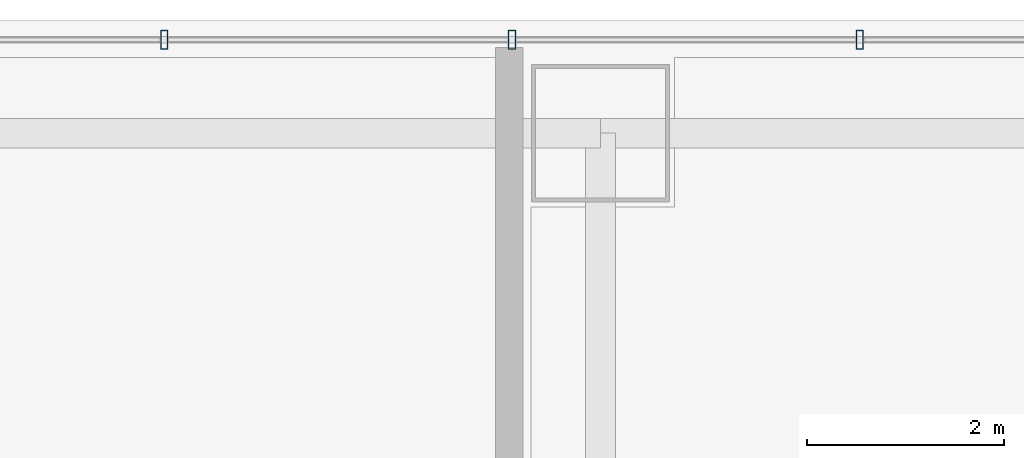
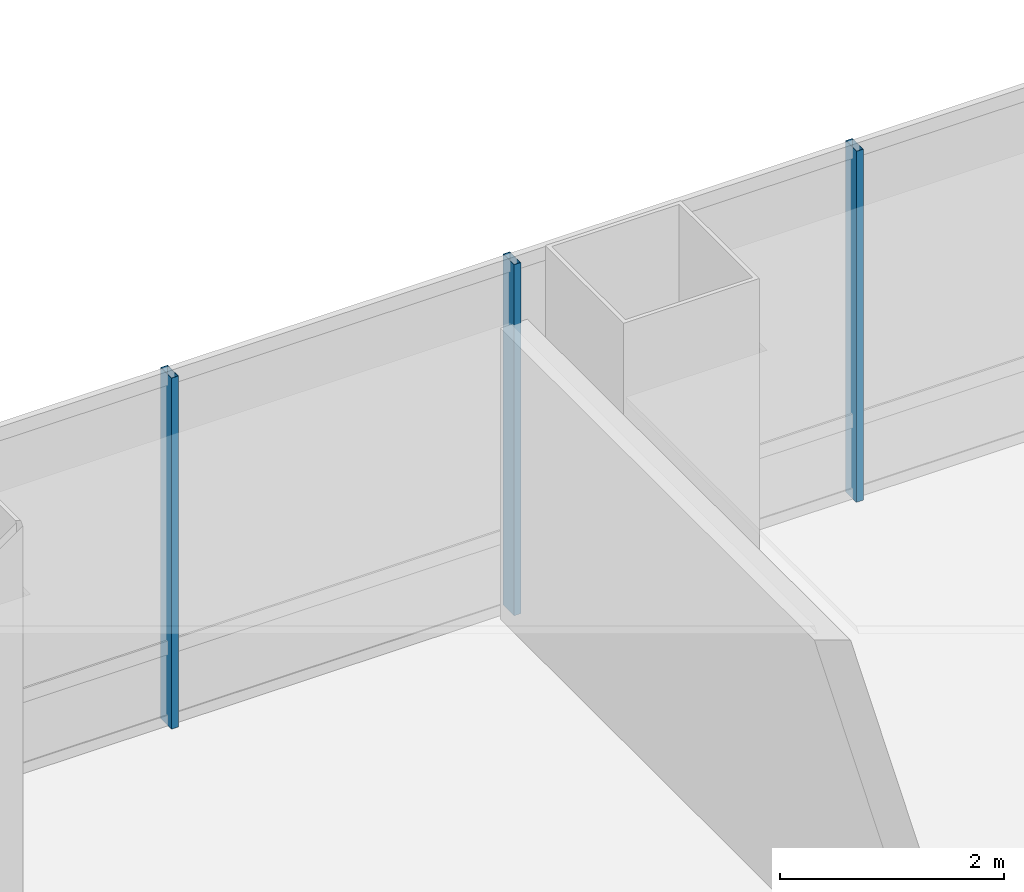
# One storey, part 24 of 36: 3 members, 1 element without a shape of its own.
"""IFC4 building model written with IfcOpenShell, lengths in metres."""

import ifcopenshell
import ifcopenshell.guid

model = None  # the IFC model being written
_history = None  # IfcOwnerHistory: only IFC2X3 demands one
_inside = {}  # id of a spatial element -> (the spatial element, [elements in it])
_under = {}  # id of a project, library or spatial element -> (it, [spatial elements below it])
_declared = {}  # id of a project -> (the project, [libraries it declares])
_typed = {}  # id of a type object -> (the type object, [elements of that type])
_made_of = {}  # id of a material, layer set ... -> (it, [elements and type objects made of it])


def new_model(schema):
    """Start an empty IFC model of exactly this schema.

    Asked for "IFC4X3", IfcOpenShell would pick the latest addendum, in which some entities
    have other attributes; the version numbers below select the first issue.
    IFC2X3 requires an IfcOwnerHistory on every rooted entity: one is made here for all.
    """
    global model, _history
    if schema == "IFC4X3":
        model = ifcopenshell.file(schema_version=(4, 3, 0, 0))
    else:
        model = ifcopenshell.file(schema=schema)
    _inside.clear()
    _under.clear()
    _declared.clear()
    _typed.clear()
    _made_of.clear()
    _history = None
    if model.schema == "IFC2X3":
        org = make("IfcOrganization", Name="unknown")
        user = make(
            "IfcPersonAndOrganization",
            ThePerson=make("IfcPerson", FamilyName="unknown"),
            TheOrganization=org,
        )
        app = make(
            "IfcApplication",
            ApplicationDeveloper=org,
            Version="unknown",
            ApplicationFullName="unknown",
            ApplicationIdentifier="unknown",
        )
        _history = make(
            "IfcOwnerHistory",
            OwningUser=user,
            OwningApplication=app,
            ChangeAction="ADDED",
            CreationDate=0,
        )
    return model


def make(cls, **values):
    """One entity of the class cls with the attributes given. An attribute that is None is left unset."""
    return model.create_entity(
        cls, **{name: value for name, value in values.items() if value is not None}
    )


def rooted(cls, **values):
    """An entity with a GlobalId (a new one), such as an element, a storey or a relation."""
    return make(cls, GlobalId=ifcopenshell.guid.new(), OwnerHistory=_history, **values)


def si_unit(unit_type, name, prefix=None):
    """IfcSIUnit, for example si_unit("LENGTHUNIT", "METRE", prefix="MILLI")."""
    return make("IfcSIUnit", UnitType=unit_type, Prefix=prefix, Name=name)


def assignment(units):
    """IfcUnitAssignment: the units of a project."""
    return None if units is None else make("IfcUnitAssignment", Units=units)


def point(xyz):
    """IfcCartesianPoint."""
    return None if xyz is None else make("IfcCartesianPoint", Coordinates=xyz)


def direction(xyz):
    """IfcDirection."""
    return None if xyz is None else make("IfcDirection", DirectionRatios=xyz)


def frame(location, z_axis=None, x_axis=None):
    """IfcAxis2Placement3D, a coordinate frame: its origin and axes. An axis left out is left unset."""
    return make(
        "IfcAxis2Placement3D",
        Location=point(location),
        Axis=direction(z_axis),
        RefDirection=direction(x_axis),
    )


def frame_2d(location, x_axis=None):
    """IfcAxis2Placement2D, a coordinate frame in the plane: its origin and x axis."""
    return make(
        "IfcAxis2Placement2D", Location=point(location), RefDirection=direction(x_axis)
    )


def origin():
    """The frame at (0, 0, 0) with its axes left unset."""
    return frame((0.0, 0.0, 0.0))


def origin_2d():
    """The frame at (0, 0) in the plane with its x axis left unset."""
    return frame_2d((0.0, 0.0))


def place(relative_to, where):
    """IfcLocalPlacement: puts the frame where relative to a parent placement (None: the world)."""
    return make(
        "IfcLocalPlacement", PlacementRelTo=relative_to, RelativePlacement=where
    )


def context(
    kind, dimensions, precision=None, world=None, true_north=None, identifier=None
):
    """IfcGeometricRepresentationContext, for example the 3D "Model" context."""
    return make(
        "IfcGeometricRepresentationContext",
        ContextIdentifier=identifier,
        ContextType=kind,
        CoordinateSpaceDimension=dimensions,
        Precision=precision,
        WorldCoordinateSystem=world,
        TrueNorth=true_north,
    )


def subcontext(parent, identifier, kind, view, scale=None):
    """IfcGeometricRepresentationSubContext, for example "Body" below "Model"."""
    return make(
        "IfcGeometricRepresentationSubContext",
        ContextIdentifier=identifier,
        ContextType=kind,
        ParentContext=parent,
        TargetScale=scale,
        TargetView=view,
    )


def project(units=None, contexts=None):
    """IfcProject with its units and contexts."""
    return rooted(
        "IfcProject",
        Name="project",
        RepresentationContexts=contexts,
        UnitsInContext=assignment(units),
    )


def spatial(cls, under=None, at=None, **own):
    """A site, building, storey or space (cls), placed at a placement, below another one or the project."""
    s = rooted(cls, ObjectPlacement=at, **own)
    if under is not None:
        _under.setdefault(under.id(), (under, []))[1].append(s)
    return s


def profile(cls, at=None, kind="AREA", **sizes):
    """A parametric profile (cls). Its sizes go by their IFC names, for example OverallWidth=200.0."""
    return make(cls, ProfileType=kind, Position=at, **sizes)


def hollow_rectangle(**sizes):
    """IfcRectangleHollowProfileDef."""
    return profile("IfcRectangleHollowProfileDef", **sizes)


def extrude(swept, where, along, depth):
    """IfcExtrudedAreaSolid: the profile swept, set in the frame where, extruded along a direction by depth."""
    return make(
        "IfcExtrudedAreaSolid",
        SweptArea=swept,
        Position=where,
        ExtrudedDirection=direction(along),
        Depth=depth,
    )


def shape(context_of_items, identifier, shape_type, items):
    """IfcShapeRepresentation: the items that make up one representation, for example the "Body"."""
    return make(
        "IfcShapeRepresentation",
        ContextOfItems=context_of_items,
        RepresentationIdentifier=identifier,
        RepresentationType=shape_type,
        Items=items,
    )


def material(Name=None, Category=None):
    """IfcMaterial."""
    return make("IfcMaterial", Name=Name, Category=Category)


def material_profile(
    of_material, cross_section, Name=None, Category=None, Priority=None
):
    """IfcMaterialProfile: a cross section and its material."""
    return make(
        "IfcMaterialProfile",
        Name=Name,
        Material=of_material,
        Profile=cross_section,
        Priority=Priority,
        Category=Category,
    )


def profile_set(profiles, Name=None, composite=None):
    """IfcMaterialProfileSet."""
    return make(
        "IfcMaterialProfileSet",
        Name=Name,
        MaterialProfiles=profiles,
        CompositeProfile=composite,
    )


def made_of(thing, what):
    """Note that an element or type object is made of a material, layer set ...; save() writes the relation."""
    if what is not None:
        _made_of.setdefault(what.id(), (what, []))[1].append(thing)
    return thing


def type_object(cls, material=None, **own):
    """A type object (cls), such as IfcWallType, which elements share."""
    return made_of(rooted(cls, **own), material)


def element(
    cls,
    number,
    at=None,
    inside=None,
    cuts=None,
    type_object=None,
    material=None,
    context=None,
    identifier="Body",
    shape_type=None,
    held_by="IfcProductDefinitionShape",
    body=None,
    shapes=None,
    **own,
):
    """One element of the class cls, such as IfcWall. Its Tag is "e" and its number.

    at: its placement. inside: the storey or other place that contains it. cuts: it is an
    opening in that element (IfcRelVoidsElement). A single representation is given by context,
    identifier, shape_type and body (its items); several are given by shapes. held_by: the class
    of the entity that holds the representations. save() writes the other relations.
    """
    e = rooted(cls, Tag="e%d" % number, ObjectPlacement=at, **own)
    if body is not None:
        shapes = [shape(context, identifier, shape_type, body)]
    if shapes is not None:
        e.Representation = make(held_by, Representations=shapes)
    if inside is not None:
        _inside.setdefault(inside.id(), (inside, []))[1].append(e)
    if cuts is not None:
        rooted(
            "IfcRelVoidsElement", RelatingBuildingElement=cuts, RelatedOpeningElement=e
        )
    if type_object is not None:
        _typed.setdefault(type_object.id(), (type_object, []))[1].append(e)
    return made_of(e, material)


def aggregate(whole, parts):
    """IfcRelAggregates: a whole, such as a stair, and the parts it consists of."""
    return rooted("IfcRelAggregates", RelatingObject=whole, RelatedObjects=parts)


def save(model, path):
    """Write the relations noted so far, then the file.

    IfcRelAggregates (storeys below a building ...), IfcRelContainedInSpatialStructure (elements
    in a storey), IfcRelDefinesByType, IfcRelAssociatesMaterial and IfcRelDeclares: one each for
    every whole, place, type object, material and project.
    """
    for whole, parts in _under.values():
        aggregate(whole, parts)
    for where, things in _inside.values():
        rooted(
            "IfcRelContainedInSpatialStructure",
            RelatedElements=things,
            RelatingStructure=where,
        )
    for kind, things in _typed.values():
        rooted("IfcRelDefinesByType", RelatedObjects=things, RelatingType=kind)
    for what, things in _made_of.values():
        rooted("IfcRelAssociatesMaterial", RelatedObjects=things, RelatingMaterial=what)
    for by, libraries in _declared.values():
        rooted("IfcRelDeclares", RelatingContext=by, RelatedDefinitions=libraries)
    model.write(path)


model = new_model("IFC4")

# Units and contexts
model_context = context("Model", 3, precision=1e-05, world=origin(), true_north=direction((0.0, 1.0)))
body_context = subcontext(model_context, "Body", "Model", "MODEL_VIEW")
ifc_project = project(units=[si_unit("LENGTHUNIT", "METRE"), si_unit("AREAUNIT", "SQUARE_METRE"), si_unit("VOLUMEUNIT", "CUBIC_METRE"), si_unit("PLANEANGLEUNIT", "RADIAN"), si_unit("MASSUNIT", "GRAM", prefix="KILO")], contexts=[model_context])

# Site, building, storey
site_placement = place(None, origin())
site = spatial("IfcSite", under=ifc_project, at=site_placement, CompositionType="ELEMENT")
building_placement = place(site_placement, origin())
building = spatial("IfcBuilding", under=site, at=building_placement, Name="Punatoya Terracotta Tower", CompositionType="ELEMENT")
storey_placement = place(building_placement, frame((0.0, 0.0, 196.5)))
storey = spatial("IfcBuildingStorey", under=building, at=storey_placement, Name="L46", CompositionType="ELEMENT", Elevation=196.5)

# Curtain wall, members
ifc_material_1 = material(Name="Aluminium 6063-T6 + Double Low-E Glass", Category="aluminium")
curtain_wall_type = type_object("IfcCurtainWallType", Name="CW-M2", PredefinedType="NOTDEFINED", material=ifc_material_1)
curtain_wall_placement = place(storey_placement, origin())
curtain_wall = element("IfcCurtainWall", 1, at=curtain_wall_placement, inside=storey, type_object=curtain_wall_type, Name="L46 Curtain Wall CW-L46-N09-1", PredefinedType="NOTDEFINED")
ifc_material_2 = material(Name="Aluminium 6063-T6", Category="aluminium")
ifc_material_profile = material_profile(ifc_material_2, hollow_rectangle(XDim=0.072021484375, YDim=0.195068359375, WallThickness=0.00439453125, at=origin_2d()))
ifc_profile_set = profile_set([ifc_material_profile], Name="Aluminium 6063-T6")
member_type = type_object("IfcMemberType", Name="CW-MUL-M2", PredefinedType="MULLION", material=ifc_profile_set)
member_1_placement = place(storey_placement, frame((6.43505859375, 18.449951171875, 0.0), z_axis=(0.0, 0.0, 1.0), x_axis=(1.0, 0.0, 0.0)))
member_1 = element("IfcMember", 2, at=member_1_placement, type_object=member_type, Name="CW-L46-N09-1 Mullion 03", PredefinedType="MULLION", context=body_context, shape_type="SweptSolid", body=[
    extrude(hollow_rectangle(XDim=0.072021484375, YDim=0.195068359375, WallThickness=0.00439453125, at=origin_2d()), origin(), (0.0, 0.0, 1.0), 3.830078125),
])
member_2_placement = place(storey_placement, frame((2.90087890625, 18.449951171875, 0.0), z_axis=(0.0, 0.0, 1.0), x_axis=(1.0, 0.0, 0.0)))
member_2 = element("IfcMember", 3, at=member_2_placement, type_object=member_type, Name="CW-L46-N09-1 Mullion 04", PredefinedType="MULLION", context=body_context, shape_type="SweptSolid", body=[
    extrude(hollow_rectangle(XDim=0.072021484375, YDim=0.195068359375, WallThickness=0.00439453125, at=origin_2d()), origin(), (0.0, 0.0, 1.0), 3.830078125),
])
member_3_placement = place(storey_placement, frame((-0.633056640625, 18.449951171875, 0.0), z_axis=(0.0, 0.0, 1.0), x_axis=(1.0, 0.0, 0.0)))
member_3 = element("IfcMember", 4, at=member_3_placement, type_object=member_type, Name="CW-L46-N09-1 Mullion 05", PredefinedType="MULLION", context=body_context, shape_type="SweptSolid", body=[
    extrude(hollow_rectangle(XDim=0.072021484375, YDim=0.195068359375, WallThickness=0.00439453125, at=origin_2d()), origin(), (0.0, 0.0, 1.0), 3.830078125),
])
aggregate(curtain_wall, [member_1, member_2, member_3])

save(model, "model.ifc")
